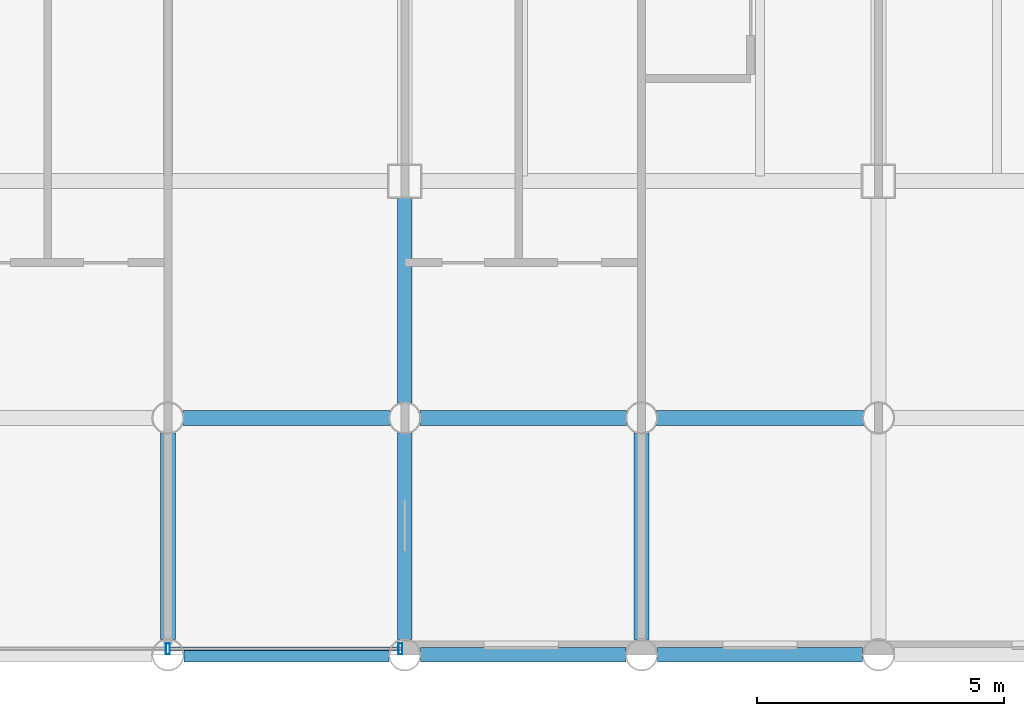
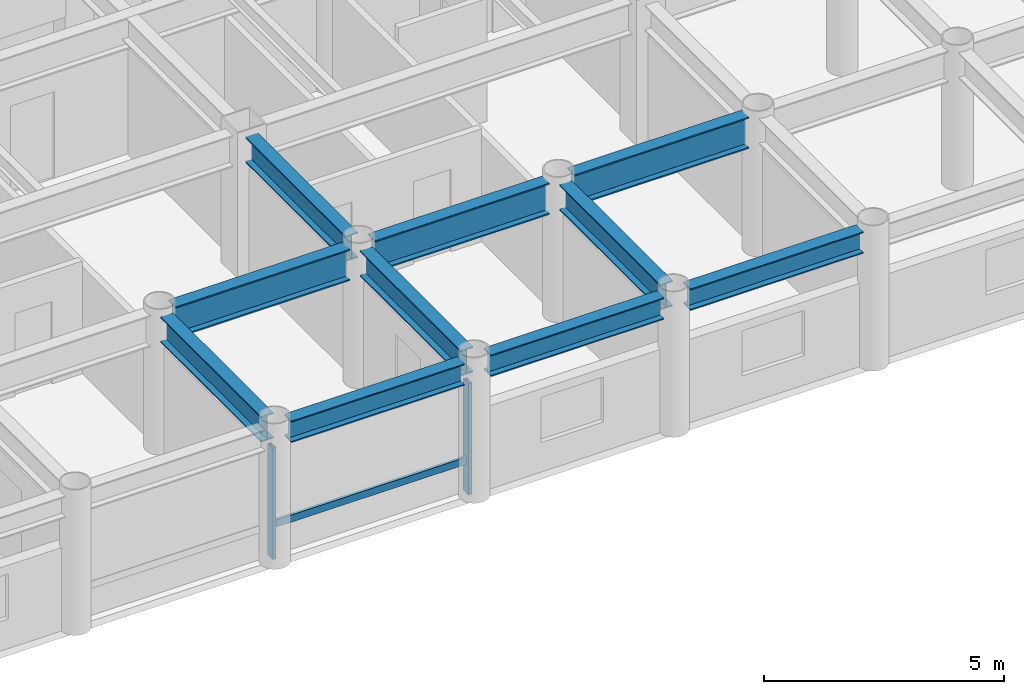
# One storey, part 6 of 20: 10 beams, 3 members, 1 element without a shape of its own.
"""IFC4 building model written with IfcOpenShell, lengths in metres."""

from ifc_helpers import new_model, si_unit, direction, frame, origin, origin_2d, place, context, subcontext, project, spatial, hollow_rectangle, i_section, extrude, material, layer, layer_set, material_profile, profile_set, type_object, element, aggregate, save


model = new_model("IFC4")

# Units and contexts
model_context = context("Model", 3, precision=1e-05, world=origin(), true_north=direction((0.0, 1.0)))
body_context = subcontext(model_context, "Body", "Model", "MODEL_VIEW")
ifc_project = project(units=[si_unit("LENGTHUNIT", "METRE"), si_unit("AREAUNIT", "SQUARE_METRE"), si_unit("VOLUMEUNIT", "CUBIC_METRE"), si_unit("PLANEANGLEUNIT", "RADIAN"), si_unit("MASSUNIT", "GRAM", prefix="KILO")], contexts=[model_context])

# Site, building, storey
site_placement = place(None, origin())
site = spatial("IfcSite", under=ifc_project, at=site_placement, CompositionType="ELEMENT")
building_placement = place(site_placement, origin())
building = spatial("IfcBuilding", under=site, at=building_placement, Name="Kallvorn Hotel Tower", CompositionType="ELEMENT")
storey_placement = place(building_placement, frame((0.0, 0.0, 158.10009765625)))
storey = spatial("IfcBuildingStorey", under=building, at=storey_placement, Name="L39", CompositionType="ELEMENT", Elevation=158.10009765625)

# Beams
ifc_material_1 = material(Name="Structural steel S355JR", Category="steel")
ifc_material_profile_1 = material_profile(ifc_material_1, i_section(OverallWidth=0.300048828125, OverallDepth=0.550048828125, WebThickness=0.014892578125, FlangeThickness=0.029052734375, at=origin_2d()), Name="HE 550 B")
ifc_profile_set_1 = profile_set([ifc_material_profile_1], Name="Structural steel S355JR")
beam_type_1 = type_object("IfcBeamType", Name="BM_HE550B", PredefinedType="SPANDREL", material=ifc_profile_set_1)
for number, where, z_axis, x_axis, name in (
    (1, (0.320068359375, -24.0, 3.244873046875), (1.0, 0.0, 0.0), (0.0, 1.0, 0.0), "L40 Perimeter Spandrel 157"),
    (2, (5.1201171875, -24.0, 3.244873046875), (1.0, 0.0, 0.0), (0.0, 1.0, 0.0), "L40 Perimeter Spandrel 158"),
):
    element("IfcBeam", number, at=place(storey_placement, frame(where, z_axis=z_axis, x_axis=x_axis)), inside=storey, type_object=beam_type_1, Name=name, PredefinedType="SPANDREL", context=body_context, shape_type="SweptSolid", body=[
        extrude(i_section(OverallWidth=0.300048828125, OverallDepth=0.550048828125, WebThickness=0.014892578125, FlangeThickness=0.029052734375, at=origin_2d()), origin(), (0.0, 0.0, 1.0), 4.159912109375),
    ])
beam_1_placement = place(storey_placement, frame((9.919921875, -24.0, 3.244873046875), z_axis=(1.0, 0.0, 0.0), x_axis=(0.0, 1.0, 0.0)))
element("IfcBeam", 3, at=beam_1_placement, inside=storey, type_object=beam_type_1, Name="L40 Perimeter Spandrel 159", PredefinedType="SPANDREL", context=body_context, shape_type="SweptSolid", body=[
    extrude(i_section(OverallWidth=0.300048828125, OverallDepth=0.550048828125, WebThickness=0.014892578125, FlangeThickness=0.029052734375, at=origin_2d()), origin(), (0.0, 0.0, 1.0), 4.16015625),
])
ifc_material_2 = material(Name="Structural steel S355JR", Category="steel")
ifc_material_profile_2 = material_profile(ifc_material_2, i_section(OverallWidth=0.300048828125, OverallDepth=0.64990234375, WebThickness=0.01611328125, FlangeThickness=0.031005859375, at=origin_2d()), Name="HE 650 B")
ifc_profile_set_2 = profile_set([ifc_material_profile_2], Name="Structural steel S355JR")
beam_type_2 = type_object("IfcBeamType", Name="BM_HE650B", PredefinedType="BEAM", material=ifc_profile_set_2)
for number, where, z_axis, x_axis, name in (
    (4, (0.0, -23.695068359375, 3.19482421875), (0.0, 1.0, 0.0), (-1.0, 0.0, 0.0), "L40 Primary Y-Girder 111"),
    (5, (4.800048828125, -23.695068359375, 3.19482421875), (0.0, 1.0, 0.0), (-1.0, 0.0, 0.0), "L40 Primary Y-Girder 114"),
):
    element("IfcBeam", number, at=place(storey_placement, frame(where, z_axis=z_axis, x_axis=x_axis)), inside=storey, type_object=beam_type_2, Name=name, PredefinedType="BEAM", context=body_context, shape_type="SweptSolid", body=[
        extrude(i_section(OverallWidth=0.300048828125, OverallDepth=0.64990234375, WebThickness=0.01611328125, FlangeThickness=0.031005859375, at=origin_2d()), origin(), (0.0, 0.0, 1.0), 4.190185546875),
    ])
beam_2_placement = place(storey_placement, frame((4.800048828125, -18.89501953125, 3.19482421875), z_axis=(0.0, 1.0, 0.0), x_axis=(-1.0, 0.0, 0.0)))
element("IfcBeam", 6, at=beam_2_placement, inside=storey, type_object=beam_type_2, Name="L40 Primary Y-Girder 115", PredefinedType="BEAM", context=body_context, shape_type="SweptSolid", body=[
    extrude(i_section(OverallWidth=0.300048828125, OverallDepth=0.64990234375, WebThickness=0.01611328125, FlangeThickness=0.031005859375, at=origin_2d()), origin(), (0.0, 0.0, 1.0), 4.169921875),
])
beam_3_placement = place(storey_placement, frame((9.60009765625, -23.695068359375, 3.19482421875), z_axis=(0.0, 1.0, 0.0), x_axis=(-1.0, 0.0, 0.0)))
element("IfcBeam", 7, at=beam_3_placement, inside=storey, type_object=beam_type_2, Name="L40 Primary Y-Girder 119", PredefinedType="BEAM", context=body_context, shape_type="SweptSolid", body=[
    extrude(i_section(OverallWidth=0.300048828125, OverallDepth=0.64990234375, WebThickness=0.01611328125, FlangeThickness=0.031005859375, at=origin_2d()), origin(), (0.0, 0.0, 1.0), 4.190185546875),
])
ifc_material_3 = material(Name="Structural steel S355JR", Category="steel")
ifc_material_profile_3 = material_profile(ifc_material_3, i_section(OverallWidth=0.300048828125, OverallDepth=0.800048828125, WebThickness=0.017578125, FlangeThickness=0.032958984375, at=origin_2d()), Name="HE 800 B")
ifc_profile_set_3 = profile_set([ifc_material_profile_3], Name="Structural steel S355JR")
beam_type_3 = type_object("IfcBeamType", Name="BM_HE800B", PredefinedType="BEAM", material=ifc_profile_set_3)
beam_4_placement = place(storey_placement, frame((0.304931640625, -19.199951171875, 3.119873046875), z_axis=(1.0, 0.0, 0.0), x_axis=(0.0, 1.0, 0.0)))
element("IfcBeam", 8, at=beam_4_placement, inside=storey, type_object=beam_type_3, Name="L40 Primary X-Girder 08", PredefinedType="BEAM", context=body_context, shape_type="SweptSolid", body=[
    extrude(i_section(OverallWidth=0.300048828125, OverallDepth=0.800048828125, WebThickness=0.017578125, FlangeThickness=0.032958984375, at=origin_2d()), origin(), (0.0, 0.0, 1.0), 4.190185546875),
])
for number, where, z_axis, x_axis, name in (
    (9, (5.10498046875, -19.199951171875, 3.119873046875), (1.0, 0.0, 0.0), (0.0, 1.0, 0.0), "L40 Primary X-Girder 09"),
    (10, (9.905029296875, -19.199951171875, 3.119873046875), (1.0, 0.0, 0.0), (0.0, 1.0, 0.0), "L40 Primary X-Girder 10"),
):
    element("IfcBeam", number, at=place(storey_placement, frame(where, z_axis=z_axis, x_axis=x_axis)), inside=storey, type_object=beam_type_3, Name=name, PredefinedType="BEAM", context=body_context, shape_type="SweptSolid", body=[
        extrude(i_section(OverallWidth=0.300048828125, OverallDepth=0.800048828125, WebThickness=0.017578125, FlangeThickness=0.032958984375, at=origin_2d()), origin(), (0.0, 0.0, 1.0), 4.18994140625),
    ])

# Curtain wall, members
ifc_material_4 = material(Name="Thermally broken black-anodised aluminium AA 6063-T6", Category="aluminium")
ifc_layer = layer(ifc_material_4, 0.2099609375)
ifc_layer_set = layer_set([ifc_layer], Name="CW_SYS_4_HOTEL_MID")
curtain_wall_type = type_object("IfcCurtainWallType", Name="CW_SYS_4_HOTEL_MID", PredefinedType="USERDEFINED", material=ifc_layer_set)
curtain_wall_placement = place(storey_placement, origin())
curtain_wall = element("IfcCurtainWall", 11, at=curtain_wall_placement, inside=storey, type_object=curtain_wall_type, Name="L39 Dark-Glass Curtain Wall CW-L39-SC", ObjectType="UNITISED CURTAIN WALL", PredefinedType="USERDEFINED")
ifc_material_5 = material(Name="Thermally broken black-anodised aluminium AA 6063-T6", Category="aluminium")
ifc_material_profile_4 = material_profile(ifc_material_5, hollow_rectangle(XDim=0.080078125, YDim=0.219970703125, WallThickness=0.0048828125, at=origin_2d()), Name="MUL 220x80")
ifc_profile_set_4 = profile_set([ifc_material_profile_4], Name="Thermally broken black-anodised aluminium AA 6063-T6")
member_type_1 = type_object("IfcMemberType", Name="CW_MULLION_220x80", PredefinedType="MULLION", material=ifc_profile_set_4)
member_1_placement = place(storey_placement, frame((0.0, -23.8798828125, 0.02001953125), z_axis=(0.0, 0.0, 1.0), x_axis=(1.0, 0.0, 0.0)))
member_1 = element("IfcMember", 12, at=member_1_placement, type_object=member_type_1, Name="CW-L39-SC Mullion 01", PredefinedType="MULLION", context=body_context, shape_type="SweptSolid", body=[
    extrude(hollow_rectangle(XDim=0.080078125, YDim=0.219970703125, WallThickness=0.0048828125, at=origin_2d()), origin(), (0.0, 0.0, 1.0), 2.829833984375),
])
member_2_placement = place(storey_placement, frame((4.7099609375, -23.8798828125, 0.02001953125), z_axis=(0.0, 0.0, 1.0), x_axis=(1.0, 0.0, 0.0)))
member_2 = element("IfcMember", 13, at=member_2_placement, type_object=member_type_1, Name="CW-L39-SC Mullion 02", PredefinedType="MULLION", context=body_context, shape_type="SweptSolid", body=[
    extrude(hollow_rectangle(XDim=0.080078125, YDim=0.219970703125, WallThickness=0.0048828125, at=origin_2d()), origin(), (0.0, 0.0, 1.0), 2.829833984375),
])
ifc_material_6 = material(Name="Thermally broken black-anodised aluminium AA 6063-T6", Category="aluminium")
ifc_material_profile_5 = material_profile(ifc_material_6, hollow_rectangle(XDim=0.070068359375, YDim=0.179931640625, WallThickness=0.00390625, at=origin_2d()), Name="TRN 180x70")
ifc_profile_set_5 = profile_set([ifc_material_profile_5], Name="Thermally broken black-anodised aluminium AA 6063-T6")
member_type_2 = type_object("IfcMemberType", Name="CW_TRANSOM_180x70", PredefinedType="USERDEFINED", material=ifc_profile_set_5)
member_3_placement = place(storey_placement, frame((0.0400390625, -23.8798828125, 0.849853515625), z_axis=(1.0, 0.0, 0.0), x_axis=(0.0, 1.0, 0.0)))
member_3 = element("IfcMember", 14, at=member_3_placement, type_object=member_type_2, Name="CW-L39-SC Transom 01M", ObjectType="TRANSOM", PredefinedType="USERDEFINED", context=body_context, shape_type="SweptSolid", body=[
    extrude(hollow_rectangle(XDim=0.070068359375, YDim=0.179931640625, WallThickness=0.00390625, at=origin_2d()), origin(), (0.0, 0.0, 1.0), 4.669921875),
])
aggregate(curtain_wall, [member_1, member_2, member_3])

save(model, "model.ifc")
